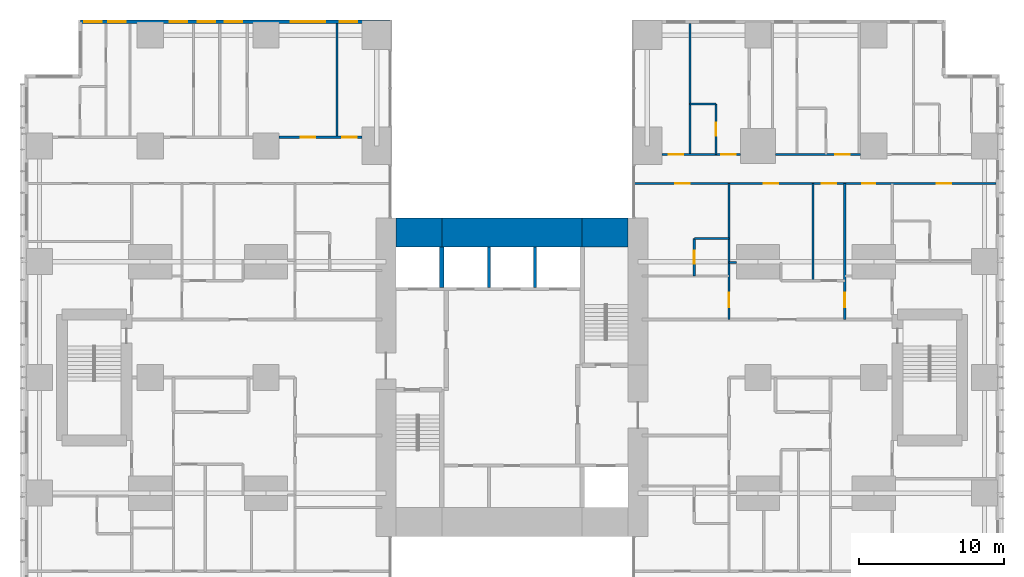
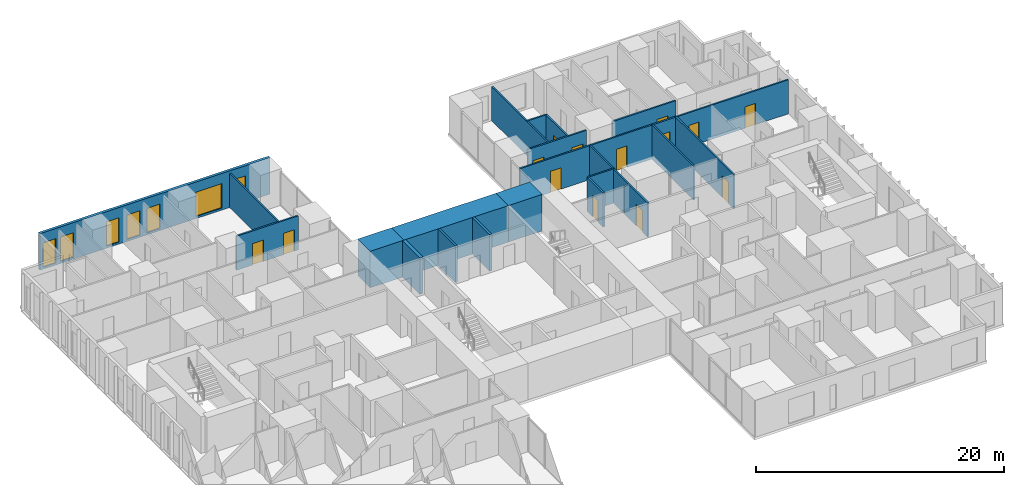
# One storey, part 17 of 20: 21 walls, 14 doors, 7 windows, 21 openings.
"""IFC4 building model written with IfcOpenShell, lengths in metres."""

import ifcopenshell
import ifcopenshell.guid

model = None  # the IFC model being written
_history = None  # IfcOwnerHistory: only IFC2X3 demands one
_inside = {}  # id of a spatial element -> (the spatial element, [elements in it])
_under = {}  # id of a project, library or spatial element -> (it, [spatial elements below it])
_declared = {}  # id of a project -> (the project, [libraries it declares])
_typed = {}  # id of a type object -> (the type object, [elements of that type])
_made_of = {}  # id of a material, layer set ... -> (it, [elements and type objects made of it])


def new_model(schema):
    """Start an empty IFC model of exactly this schema.

    Asked for "IFC4X3", IfcOpenShell would pick the latest addendum, in which some entities
    have other attributes; the version numbers below select the first issue.
    IFC2X3 requires an IfcOwnerHistory on every rooted entity: one is made here for all.
    """
    global model, _history
    if schema == "IFC4X3":
        model = ifcopenshell.file(schema_version=(4, 3, 0, 0))
    else:
        model = ifcopenshell.file(schema=schema)
    _inside.clear()
    _under.clear()
    _declared.clear()
    _typed.clear()
    _made_of.clear()
    _history = None
    if model.schema == "IFC2X3":
        org = make("IfcOrganization", Name="unknown")
        user = make(
            "IfcPersonAndOrganization",
            ThePerson=make("IfcPerson", FamilyName="unknown"),
            TheOrganization=org,
        )
        app = make(
            "IfcApplication",
            ApplicationDeveloper=org,
            Version="unknown",
            ApplicationFullName="unknown",
            ApplicationIdentifier="unknown",
        )
        _history = make(
            "IfcOwnerHistory",
            OwningUser=user,
            OwningApplication=app,
            ChangeAction="ADDED",
            CreationDate=0,
        )
    return model


def make(cls, **values):
    """One entity of the class cls with the attributes given. An attribute that is None is left unset."""
    return model.create_entity(
        cls, **{name: value for name, value in values.items() if value is not None}
    )


def rooted(cls, **values):
    """An entity with a GlobalId (a new one), such as an element, a storey or a relation."""
    return make(cls, GlobalId=ifcopenshell.guid.new(), OwnerHistory=_history, **values)


def si_unit(unit_type, name, prefix=None):
    """IfcSIUnit, for example si_unit("LENGTHUNIT", "METRE", prefix="MILLI")."""
    return make("IfcSIUnit", UnitType=unit_type, Prefix=prefix, Name=name)


def assignment(units):
    """IfcUnitAssignment: the units of a project."""
    return None if units is None else make("IfcUnitAssignment", Units=units)


def point(xyz):
    """IfcCartesianPoint."""
    return None if xyz is None else make("IfcCartesianPoint", Coordinates=xyz)


def direction(xyz):
    """IfcDirection."""
    return None if xyz is None else make("IfcDirection", DirectionRatios=xyz)


def frame(location, z_axis=None, x_axis=None):
    """IfcAxis2Placement3D, a coordinate frame: its origin and axes. An axis left out is left unset."""
    return make(
        "IfcAxis2Placement3D",
        Location=point(location),
        Axis=direction(z_axis),
        RefDirection=direction(x_axis),
    )


def frame_2d(location, x_axis=None):
    """IfcAxis2Placement2D, a coordinate frame in the plane: its origin and x axis."""
    return make(
        "IfcAxis2Placement2D", Location=point(location), RefDirection=direction(x_axis)
    )


def origin():
    """The frame at (0, 0, 0) with its axes left unset."""
    return frame((0.0, 0.0, 0.0))


def place(relative_to, where):
    """IfcLocalPlacement: puts the frame where relative to a parent placement (None: the world)."""
    return make(
        "IfcLocalPlacement", PlacementRelTo=relative_to, RelativePlacement=where
    )


def context(
    kind, dimensions, precision=None, world=None, true_north=None, identifier=None
):
    """IfcGeometricRepresentationContext, for example the 3D "Model" context."""
    return make(
        "IfcGeometricRepresentationContext",
        ContextIdentifier=identifier,
        ContextType=kind,
        CoordinateSpaceDimension=dimensions,
        Precision=precision,
        WorldCoordinateSystem=world,
        TrueNorth=true_north,
    )


def subcontext(parent, identifier, kind, view, scale=None):
    """IfcGeometricRepresentationSubContext, for example "Body" below "Model"."""
    return make(
        "IfcGeometricRepresentationSubContext",
        ContextIdentifier=identifier,
        ContextType=kind,
        ParentContext=parent,
        TargetScale=scale,
        TargetView=view,
    )


def project(units=None, contexts=None):
    """IfcProject with its units and contexts."""
    return rooted(
        "IfcProject",
        Name="project",
        RepresentationContexts=contexts,
        UnitsInContext=assignment(units),
    )


def spatial(cls, under=None, at=None, **own):
    """A site, building, storey or space (cls), placed at a placement, below another one or the project."""
    s = rooted(cls, ObjectPlacement=at, **own)
    if under is not None:
        _under.setdefault(under.id(), (under, []))[1].append(s)
    return s


def profile(cls, at=None, kind="AREA", **sizes):
    """A parametric profile (cls). Its sizes go by their IFC names, for example OverallWidth=200.0."""
    return make(cls, ProfileType=kind, Position=at, **sizes)


def rectangle(**sizes):
    """IfcRectangleProfileDef."""
    return profile("IfcRectangleProfileDef", **sizes)


def extrude(swept, where, along, depth):
    """IfcExtrudedAreaSolid: the profile swept, set in the frame where, extruded along a direction by depth."""
    return make(
        "IfcExtrudedAreaSolid",
        SweptArea=swept,
        Position=where,
        ExtrudedDirection=direction(along),
        Depth=depth,
    )


def shape(context_of_items, identifier, shape_type, items):
    """IfcShapeRepresentation: the items that make up one representation, for example the "Body"."""
    return make(
        "IfcShapeRepresentation",
        ContextOfItems=context_of_items,
        RepresentationIdentifier=identifier,
        RepresentationType=shape_type,
        Items=items,
    )


def material(Name=None, Category=None):
    """IfcMaterial."""
    return make("IfcMaterial", Name=Name, Category=Category)


def layer(
    of_material, thickness, ventilated=None, Name=None, Category=None, Priority=None
):
    """IfcMaterialLayer: one layer of a wall or slab, of a material (None: an air gap)."""
    return make(
        "IfcMaterialLayer",
        Material=of_material,
        LayerThickness=thickness,
        IsVentilated=ventilated,
        Name=Name,
        Category=Category,
        Priority=Priority,
    )


def layer_set(layers, Name=None):
    """IfcMaterialLayerSet."""
    return make("IfcMaterialLayerSet", MaterialLayers=layers, LayerSetName=Name)


def made_of(thing, what):
    """Note that an element or type object is made of a material, layer set ...; save() writes the relation."""
    if what is not None:
        _made_of.setdefault(what.id(), (what, []))[1].append(thing)
    return thing


def type_object(cls, material=None, **own):
    """A type object (cls), such as IfcWallType, which elements share."""
    return made_of(rooted(cls, **own), material)


def element(
    cls,
    number,
    at=None,
    inside=None,
    cuts=None,
    type_object=None,
    material=None,
    context=None,
    identifier="Body",
    shape_type=None,
    held_by="IfcProductDefinitionShape",
    body=None,
    shapes=None,
    **own,
):
    """One element of the class cls, such as IfcWall. Its Tag is "e" and its number.

    at: its placement. inside: the storey or other place that contains it. cuts: it is an
    opening in that element (IfcRelVoidsElement). A single representation is given by context,
    identifier, shape_type and body (its items); several are given by shapes. held_by: the class
    of the entity that holds the representations. save() writes the other relations.
    """
    e = rooted(cls, Tag="e%d" % number, ObjectPlacement=at, **own)
    if body is not None:
        shapes = [shape(context, identifier, shape_type, body)]
    if shapes is not None:
        e.Representation = make(held_by, Representations=shapes)
    if inside is not None:
        _inside.setdefault(inside.id(), (inside, []))[1].append(e)
    if cuts is not None:
        rooted(
            "IfcRelVoidsElement", RelatingBuildingElement=cuts, RelatedOpeningElement=e
        )
    if type_object is not None:
        _typed.setdefault(type_object.id(), (type_object, []))[1].append(e)
    return made_of(e, material)


def fill(opening, filler):
    """IfcRelFillsElement: the door or window that sits in an opening."""
    return rooted(
        "IfcRelFillsElement",
        RelatingOpeningElement=opening,
        RelatedBuildingElement=filler,
    )


def aggregate(whole, parts):
    """IfcRelAggregates: a whole, such as a stair, and the parts it consists of."""
    return rooted("IfcRelAggregates", RelatingObject=whole, RelatedObjects=parts)


def save(model, path):
    """Write the relations noted so far, then the file.

    IfcRelAggregates (storeys below a building ...), IfcRelContainedInSpatialStructure (elements
    in a storey), IfcRelDefinesByType, IfcRelAssociatesMaterial and IfcRelDeclares: one each for
    every whole, place, type object, material and project.
    """
    for whole, parts in _under.values():
        aggregate(whole, parts)
    for where, things in _inside.values():
        rooted(
            "IfcRelContainedInSpatialStructure",
            RelatedElements=things,
            RelatingStructure=where,
        )
    for kind, things in _typed.values():
        rooted("IfcRelDefinesByType", RelatedObjects=things, RelatingType=kind)
    for what, things in _made_of.values():
        rooted("IfcRelAssociatesMaterial", RelatedObjects=things, RelatingMaterial=what)
    for by, libraries in _declared.values():
        rooted("IfcRelDeclares", RelatingContext=by, RelatedDefinitions=libraries)
    model.write(path)


model = new_model("IFC4")

# Units and contexts
model_context = context("Model", 3, precision=1e-05, world=origin(), true_north=direction((0.0, 1.0)))
body_context = subcontext(model_context, "Body", "Model", "MODEL_VIEW")
ifc_project = project(units=[si_unit("LENGTHUNIT", "METRE"), si_unit("AREAUNIT", "SQUARE_METRE"), si_unit("VOLUMEUNIT", "CUBIC_METRE"), si_unit("PLANEANGLEUNIT", "RADIAN"), si_unit("MASSUNIT", "GRAM", prefix="KILO")], contexts=[model_context])

# Site, building, storey
site_placement = place(None, origin())
site = spatial("IfcSite", under=ifc_project, at=site_placement, CompositionType="ELEMENT")
building_placement = place(site_placement, origin())
building = spatial("IfcBuilding", under=site, at=building_placement, Name="Cleftline Residences", CompositionType="ELEMENT")
storey_placement = place(building_placement, frame((0.0, 0.0, 193.0)))
storey = spatial("IfcBuildingStorey", under=building, at=storey_placement, Name="L50", CompositionType="ELEMENT", Elevation=193.0)

# Walls
ifc_material_1 = material(Name="Concrete B70", Category="concrete")
ifc_layer_1 = layer(ifc_material_1, 2.0)
ifc_layer_set_1 = layer_set([ifc_layer_1], Name="CORE WALL 2000")
wall_type_1 = type_object("IfcWallType", Name="CORE WALL 2000", PredefinedType="SHEAR", material=ifc_layer_set_1)
wall_1_placement = place(storey_placement, frame((25.0, 34.0, 0.0), z_axis=(0.0, 0.0, 1.0), x_axis=(1.0, 0.0, 0.0)))
element("IfcWall", 1, at=wall_1_placement, inside=storey, type_object=wall_type_1, Name="Core wall N1", PredefinedType="SHEAR", context=body_context, shape_type="SweptSolid", body=[
    extrude(rectangle(XDim=3.14990234375, YDim=2.0, at=frame_2d((1.574951171875, 0.0))), origin(), (0.0, 0.0, 1.0), 3.60009765625),
])
wall_2_placement = place(storey_placement, frame((28.14990234375, 34.0, 0.0), z_axis=(0.0, 0.0, 1.0), x_axis=(1.0, 0.0, 0.0)))
element("IfcWall", 2, at=wall_2_placement, inside=storey, type_object=wall_type_1, Name="Core wall N2", PredefinedType="SHEAR", context=body_context, shape_type="SweptSolid", body=[
    extrude(rectangle(XDim=9.7001953125, YDim=2.0, at=frame_2d((4.85009765625, 0.0))), origin(), (0.0, 0.0, 1.0), 3.60009765625),
])
wall_3_placement = place(storey_placement, frame((37.85009765625, 34.0, 0.0), z_axis=(0.0, 0.0, 1.0), x_axis=(1.0, 0.0, 0.0)))
element("IfcWall", 3, at=wall_3_placement, inside=storey, type_object=wall_type_1, Name="Core wall N3", PredefinedType="SHEAR", context=body_context, shape_type="SweptSolid", body=[
    extrude(rectangle(XDim=3.14990234375, YDim=2.0, at=frame_2d((1.574951171875, 0.0))), origin(), (0.0, 0.0, 1.0), 3.60009765625),
])
ifc_material_2 = material(Name="Concrete B70", Category="concrete")
ifc_layer_2 = layer(ifc_material_2, 0.300048828125)
ifc_layer_set_2 = layer_set([ifc_layer_2], Name="CORE WALL 300")
wall_type_2 = type_object("IfcWallType", Name="CORE WALL 300", PredefinedType="SHEAR", material=ifc_layer_set_2)
wall_4_placement = place(storey_placement, frame((28.14990234375, 30.199951171875, 0.0), z_axis=(0.0, 0.0, 1.0), x_axis=(0.0, 1.0, 0.0)))
element("IfcWall", 4, at=wall_4_placement, inside=storey, type_object=wall_type_2, Name="Lift shaft wall", PredefinedType="SHEAR", context=body_context, shape_type="SweptSolid", body=[
    extrude(rectangle(XDim=2.800048828125, YDim=0.300048828125, at=frame_2d((1.39990234375, 0.0))), origin(), (0.0, 0.0, 1.0), 3.60009765625),
])

# Wall, openings, windows
ifc_material_3 = material(Name="Rendered reinforced concrete blockwork", Category="masonry")
ifc_layer_3 = layer(ifc_material_3, 0.25)
ifc_layer_set_3 = layer_set([ifc_layer_3], Name="EXTERNAL WALL 250")
wall_type_3 = type_object("IfcWallType", Name="EXTERNAL WALL 250", PredefinedType="SOLIDWALL", material=ifc_layer_set_3)
wall_5_placement = place(storey_placement, frame((24.574951171875, 48.574951171875, 0.0), z_axis=(0.0, 0.0, 1.0), x_axis=(-1.0, 0.0, 0.0)))
wall_5 = element("IfcWall", 5, at=wall_5_placement, inside=storey, type_object=wall_type_3, Name="External wall", PredefinedType="SOLIDWALL", context=body_context, shape_type="SweptSolid", body=[
    extrude(rectangle(XDim=21.39990234375, YDim=0.25, at=frame_2d((10.699951171875, 0.0))), origin(), (0.0, 0.0, 1.0), 3.60009765625),
])
opening_1_placement = place(wall_5_placement, frame((2.27490234375, 0.0, 0.199951171875)))
opening_1 = element("IfcOpeningElement", 6, at=opening_1_placement, cuts=wall_5, Name="Opening W13", PredefinedType="OPENING", context=body_context, shape_type="SweptSolid", body=[
    extrude(rectangle(XDim=1.199951171875, YDim=2.39990234375, at=frame_2d((0.60009765625, 1.199951171875))), frame((0.0, 0.135009765625, 0.0), z_axis=(0.0, -1.0, 0.0), x_axis=(1.0, 0.0, 0.0)), (0.0, 0.0, 1.0), 0.27001953125),
])
opening_2_placement = place(wall_5_placement, frame((4.47509765625, 0.0, 0.199951171875)))
opening_2 = element("IfcOpeningElement", 7, at=opening_2_placement, cuts=wall_5, Name="Opening W9", PredefinedType="OPENING", context=body_context, shape_type="SweptSolid", body=[
    extrude(rectangle(XDim=2.39990234375, YDim=2.39990234375, at=frame_2d((1.199951171875, 1.199951171875))), frame((0.0, 0.135009765625, 0.0), z_axis=(0.0, -1.0, 0.0), x_axis=(1.0, 0.0, 0.0)), (0.0, 0.0, 1.0), 0.27001953125),
])
opening_3_placement = place(wall_5_placement, frame((10.22509765625, 0.0, 0.199951171875)))
opening_3 = element("IfcOpeningElement", 8, at=opening_3_placement, cuts=wall_5, Name="Opening W13", PredefinedType="OPENING", context=body_context, shape_type="SweptSolid", body=[
    extrude(rectangle(XDim=1.199951171875, YDim=2.39990234375, at=frame_2d((0.60009765625, 1.199951171875))), frame((0.0, 0.135009765625, 0.0), z_axis=(0.0, -1.0, 0.0), x_axis=(1.0, 0.0, 0.0)), (0.0, 0.0, 1.0), 0.27001953125),
])
opening_4_placement = place(wall_5_placement, frame((12.074951171875, 0.0, 0.199951171875)))
opening_4 = element("IfcOpeningElement", 9, at=opening_4_placement, cuts=wall_5, Name="Opening W13", PredefinedType="OPENING", context=body_context, shape_type="SweptSolid", body=[
    extrude(rectangle(XDim=1.199951171875, YDim=2.39990234375, at=frame_2d((0.60009765625, 1.199951171875))), frame((0.0, 0.135009765625, 0.0), z_axis=(0.0, -1.0, 0.0), x_axis=(1.0, 0.0, 0.0)), (0.0, 0.0, 1.0), 0.27001953125),
])
opening_5_placement = place(wall_5_placement, frame((14.02490234375, 0.0, 0.199951171875)))
opening_5 = element("IfcOpeningElement", 10, at=opening_5_placement, cuts=wall_5, Name="Opening W13", PredefinedType="OPENING", context=body_context, shape_type="SweptSolid", body=[
    extrude(rectangle(XDim=1.199951171875, YDim=2.39990234375, at=frame_2d((0.60009765625, 1.199951171875))), frame((0.0, 0.135009765625, 0.0), z_axis=(0.0, -1.0, 0.0), x_axis=(1.0, 0.0, 0.0)), (0.0, 0.0, 1.0), 0.27001953125),
])
opening_6_placement = place(wall_5_placement, frame((18.27490234375, 0.0, 0.199951171875)))
opening_6 = element("IfcOpeningElement", 11, at=opening_6_placement, cuts=wall_5, Name="Opening W13", PredefinedType="OPENING", context=body_context, shape_type="SweptSolid", body=[
    extrude(rectangle(XDim=1.199951171875, YDim=2.39990234375, at=frame_2d((0.60009765625, 1.199951171875))), frame((0.0, 0.135009765625, 0.0), z_axis=(0.0, -1.0, 0.0), x_axis=(1.0, 0.0, 0.0)), (0.0, 0.0, 1.0), 0.27001953125),
])
opening_7_placement = place(wall_5_placement, frame((19.925048828125, 0.0, 0.199951171875)))
opening_7 = element("IfcOpeningElement", 12, at=opening_7_placement, cuts=wall_5, Name="Opening W13", PredefinedType="OPENING", context=body_context, shape_type="SweptSolid", body=[
    extrude(rectangle(XDim=1.199951171875, YDim=2.39990234375, at=frame_2d((0.60009765625, 1.199951171875))), frame((0.0, 0.135009765625, 0.0), z_axis=(0.0, -1.0, 0.0), x_axis=(1.0, 0.0, 0.0)), (0.0, 0.0, 1.0), 0.27001953125),
])
ifc_material_4 = material(Name="Aluminium frame, clear double glazing", Category="aluminium")
window_type_1 = type_object("IfcWindowType", Name="WINDOW 1200X2400", PartitioningType="DOUBLE_PANEL_VERTICAL", PredefinedType="WINDOW", material=ifc_material_4)
window_1_placement = place(opening_1_placement, origin())
window_1 = element("IfcWindow", 13, at=window_1_placement, inside=storey, type_object=window_type_1, Name="Window", OverallHeight=2.39990234375, OverallWidth=1.199951171875, PartitioningType="SINGLE_PANEL", PredefinedType="WINDOW", context=body_context, shape_type="SweptSolid", body=[
    extrude(rectangle(XDim=1.199951171875, YDim=2.39990234375, at=frame_2d((0.60009765625, 1.199951171875))), frame((0.0, 0.030029296875, 0.0), z_axis=(0.0, -1.0, 0.0), x_axis=(1.0, 0.0, 0.0)), (0.0, 0.0, 1.0), 0.06005859375),
])
fill(opening_1, window_1)
window_2_placement = place(opening_3_placement, origin())
window_2 = element("IfcWindow", 14, at=window_2_placement, inside=storey, type_object=window_type_1, Name="Window", OverallHeight=2.39990234375, OverallWidth=1.199951171875, PartitioningType="SINGLE_PANEL", PredefinedType="WINDOW", context=body_context, shape_type="SweptSolid", body=[
    extrude(rectangle(XDim=1.199951171875, YDim=2.39990234375, at=frame_2d((0.60009765625, 1.199951171875))), frame((0.0, 0.030029296875, 0.0), z_axis=(0.0, -1.0, 0.0), x_axis=(1.0, 0.0, 0.0)), (0.0, 0.0, 1.0), 0.06005859375),
])
fill(opening_3, window_2)
window_3_placement = place(opening_4_placement, origin())
window_3 = element("IfcWindow", 15, at=window_3_placement, inside=storey, type_object=window_type_1, Name="Window", OverallHeight=2.39990234375, OverallWidth=1.199951171875, PartitioningType="SINGLE_PANEL", PredefinedType="WINDOW", context=body_context, shape_type="SweptSolid", body=[
    extrude(rectangle(XDim=1.199951171875, YDim=2.39990234375, at=frame_2d((0.60009765625, 1.199951171875))), frame((0.0, 0.030029296875, 0.0), z_axis=(0.0, -1.0, 0.0), x_axis=(1.0, 0.0, 0.0)), (0.0, 0.0, 1.0), 0.06005859375),
])
fill(opening_4, window_3)
window_4_placement = place(opening_5_placement, origin())
window_4 = element("IfcWindow", 16, at=window_4_placement, inside=storey, type_object=window_type_1, Name="Window", OverallHeight=2.39990234375, OverallWidth=1.199951171875, PartitioningType="SINGLE_PANEL", PredefinedType="WINDOW", context=body_context, shape_type="SweptSolid", body=[
    extrude(rectangle(XDim=1.199951171875, YDim=2.39990234375, at=frame_2d((0.60009765625, 1.199951171875))), frame((0.0, 0.030029296875, 0.0), z_axis=(0.0, -1.0, 0.0), x_axis=(1.0, 0.0, 0.0)), (0.0, 0.0, 1.0), 0.06005859375),
])
fill(opening_5, window_4)
window_5_placement = place(opening_6_placement, origin())
window_5 = element("IfcWindow", 17, at=window_5_placement, inside=storey, type_object=window_type_1, Name="Window", OverallHeight=2.39990234375, OverallWidth=1.199951171875, PartitioningType="SINGLE_PANEL", PredefinedType="WINDOW", context=body_context, shape_type="SweptSolid", body=[
    extrude(rectangle(XDim=1.199951171875, YDim=2.39990234375, at=frame_2d((0.60009765625, 1.199951171875))), frame((0.0, 0.030029296875, 0.0), z_axis=(0.0, -1.0, 0.0), x_axis=(1.0, 0.0, 0.0)), (0.0, 0.0, 1.0), 0.06005859375),
])
fill(opening_6, window_5)
window_6_placement = place(opening_7_placement, origin())
window_6 = element("IfcWindow", 18, at=window_6_placement, inside=storey, type_object=window_type_1, Name="Window", OverallHeight=2.39990234375, OverallWidth=1.199951171875, PartitioningType="SINGLE_PANEL", PredefinedType="WINDOW", context=body_context, shape_type="SweptSolid", body=[
    extrude(rectangle(XDim=1.199951171875, YDim=2.39990234375, at=frame_2d((0.60009765625, 1.199951171875))), frame((0.0, 0.030029296875, 0.0), z_axis=(0.0, -1.0, 0.0), x_axis=(1.0, 0.0, 0.0)), (0.0, 0.0, 1.0), 0.06005859375),
])
fill(opening_7, window_6)
ifc_material_5 = material(Name="Aluminium frame, clear double glazing", Category="aluminium")
window_type_2 = type_object("IfcWindowType", Name="WINDOW 2400X2400", PartitioningType="DOUBLE_PANEL_VERTICAL", PredefinedType="WINDOW", material=ifc_material_5)
window_7_placement = place(opening_2_placement, origin())
window_7 = element("IfcWindow", 19, at=window_7_placement, inside=storey, type_object=window_type_2, Name="Window", OverallHeight=2.39990234375, OverallWidth=2.39990234375, PartitioningType="SINGLE_PANEL", PredefinedType="WINDOW", context=body_context, shape_type="SweptSolid", body=[
    extrude(rectangle(XDim=2.39990234375, YDim=2.39990234375, at=frame_2d((1.199951171875, 1.199951171875))), frame((0.0, 0.030029296875, 0.0), z_axis=(0.0, -1.0, 0.0), x_axis=(1.0, 0.0, 0.0)), (0.0, 0.0, 1.0), 0.06005859375),
])
fill(opening_2, window_7)

# Walls
ifc_material_6 = material(Name="Gypsum board on steel studs", Category="steel")
ifc_layer_4 = layer(ifc_material_6, 0.14990234375)
ifc_layer_set_4 = layer_set([ifc_layer_4], Name="PARTITION 150")
wall_type_4 = type_object("IfcWallType", Name="PARTITION 150", PredefinedType="PARTITIONING", material=ifc_layer_set_4)
wall_6_placement = place(storey_placement, frame((48.0, 31.949951171875, 0.0), z_axis=(0.0, 0.0, 1.0), x_axis=(1.0, 0.0, 0.0)))
element("IfcWall", 20, at=wall_6_placement, inside=storey, type_object=wall_type_4, Name="Partition", PredefinedType="PARTITIONING", context=body_context, shape_type="SweptSolid", body=[
    extrude(rectangle(XDim=0.5, YDim=0.14990234375, at=frame_2d((0.25, 0.0))), origin(), (0.0, 0.0, 1.0), 2.634033203125),
])
wall_7_placement = place(storey_placement, frame((45.60009765625, 33.60009765625, 0.0), z_axis=(0.0, 0.0, 1.0), x_axis=(1.0, 0.0, 0.0)))
element("IfcWall", 21, at=wall_7_placement, inside=storey, type_object=wall_type_4, Name="Partition", PredefinedType="PARTITIONING", context=body_context, shape_type="SweptSolid", body=[
    extrude(rectangle(XDim=2.39990234375, YDim=0.14990234375, at=frame_2d((1.199951171875, 0.0))), origin(), (0.0, 0.0, 1.0), 3.35009765625),
])

# Wall, openings, doors
wall_8_placement = place(storey_placement, frame((41.43896484375, 37.39990234375, 0.0), z_axis=(0.0, 0.0, 1.0), x_axis=(1.0, 0.0, 0.0)))
wall_8 = element("IfcWall", 22, at=wall_8_placement, inside=storey, type_object=wall_type_4, Name="Partition", PredefinedType="PARTITIONING", context=body_context, shape_type="SweptSolid", body=[
    extrude(rectangle(XDim=25.010986328125, YDim=0.14990234375, at=frame_2d((12.50537109375, 0.0))), origin(), (0.0, 0.0, 1.0), 3.35009765625),
])
opening_8_placement = place(wall_8_placement, frame((12.9609375, 0.0, 0.0)))
opening_8 = element("IfcOpeningElement", 23, at=opening_8_placement, cuts=wall_8, Name="Opening D2F30", PredefinedType="OPENING", context=body_context, shape_type="SweptSolid", body=[
    extrude(rectangle(XDim=1.0, YDim=2.10009765625, at=frame_2d((0.5, 1.050048828125))), frame((0.0, 0.0849609375, 0.0), z_axis=(0.0, -1.0, 0.0), x_axis=(1.0, 0.0, 0.0)), (0.0, 0.0, 1.0), 0.169921875),
])
opening_9_placement = place(wall_8_placement, frame((20.923583984375, 0.0, 0.0)))
opening_9 = element("IfcOpeningElement", 24, at=opening_9_placement, cuts=wall_8, Name="Opening D2F30", PredefinedType="OPENING", context=body_context, shape_type="SweptSolid", body=[
    extrude(rectangle(XDim=1.0, YDim=2.10009765625, at=frame_2d((0.5, 1.050048828125))), frame((0.0, 0.0849609375, 0.0), z_axis=(0.0, -1.0, 0.0), x_axis=(1.0, 0.0, 0.0)), (0.0, 0.0, 1.0), 0.169921875),
])
opening_10_placement = place(wall_8_placement, frame((15.74853515625, 0.0, 0.0)))
opening_10 = element("IfcOpeningElement", 25, at=opening_10_placement, cuts=wall_8, Name="Opening D1F30", PredefinedType="OPENING", context=body_context, shape_type="SweptSolid", body=[
    extrude(rectangle(XDim=0.89990234375, YDim=2.10009765625, at=frame_2d((0.449951171875, 1.050048828125))), frame((0.0, 0.0849609375, 0.0), z_axis=(0.0, -1.0, 0.0), x_axis=(1.0, 0.0, 0.0)), (0.0, 0.0, 1.0), 0.169921875),
])
opening_11_placement = place(wall_8_placement, frame((8.9609375, 0.0, 0.0)))
opening_11 = element("IfcOpeningElement", 26, at=opening_11_placement, cuts=wall_8, Name="Opening D2F30", PredefinedType="OPENING", context=body_context, shape_type="SweptSolid", body=[
    extrude(rectangle(XDim=1.0, YDim=2.10009765625, at=frame_2d((0.5, 1.050048828125))), frame((0.0, 0.0849609375, 0.0), z_axis=(0.0, -1.0, 0.0), x_axis=(1.0, 0.0, 0.0)), (0.0, 0.0, 1.0), 0.169921875),
])
opening_12_placement = place(wall_8_placement, frame((2.8359375, 0.0, 0.0)))
opening_12 = element("IfcOpeningElement", 27, at=opening_12_placement, cuts=wall_8, Name="Opening D2F30", PredefinedType="OPENING", context=body_context, shape_type="SweptSolid", body=[
    extrude(rectangle(XDim=1.0, YDim=2.10009765625, at=frame_2d((0.5, 1.050048828125))), frame((0.0, 0.0849609375, 0.0), z_axis=(0.0, -1.0, 0.0), x_axis=(1.0, 0.0, 0.0)), (0.0, 0.0, 1.0), 0.169921875),
])
ifc_material_7 = material(Name="Timber veneer on solid core", Category="wood")
door_type_1 = type_object("IfcDoorType", Name="DOOR 1000X2100 EI 30", OperationType="SINGLE_SWING_LEFT", PredefinedType="DOOR", material=ifc_material_7)
door_1_placement = place(opening_8_placement, origin())
door_1 = element("IfcDoor", 28, at=door_1_placement, inside=storey, type_object=door_type_1, Name="Door to residence corridor (bedrooms)", OperationType="SINGLE_SWING_LEFT", OverallHeight=2.10009765625, OverallWidth=1.0, PredefinedType="DOOR", context=body_context, shape_type="SweptSolid", body=[
    extrude(rectangle(XDim=1.0, YDim=2.10009765625, at=frame_2d((0.5, 1.050048828125))), frame((0.0, 0.02490234375, 0.0), z_axis=(0.0, -1.0, 0.0), x_axis=(1.0, 0.0, 0.0)), (0.0, 0.0, 1.0), 0.050048828125),
])
fill(opening_8, door_1)
door_2_placement = place(opening_9_placement, origin())
door_2 = element("IfcDoor", 29, at=door_2_placement, inside=storey, type_object=door_type_1, Name="Door to master bedroom", OperationType="SINGLE_SWING_LEFT", OverallHeight=2.10009765625, OverallWidth=1.0, PredefinedType="DOOR", context=body_context, shape_type="SweptSolid", body=[
    extrude(rectangle(XDim=1.0, YDim=2.10009765625, at=frame_2d((0.5, 1.050048828125))), frame((0.0, 0.02490234375, 0.0), z_axis=(0.0, -1.0, 0.0), x_axis=(1.0, 0.0, 0.0)), (0.0, 0.0, 1.0), 0.050048828125),
])
fill(opening_9, door_2)
door_3_placement = place(opening_11_placement, origin())
door_3 = element("IfcDoor", 30, at=door_3_placement, inside=storey, type_object=door_type_1, Name="Door to family room", OperationType="SINGLE_SWING_RIGHT", OverallHeight=2.10009765625, OverallWidth=1.0, PredefinedType="DOOR", context=body_context, shape_type="SweptSolid", body=[
    extrude(rectangle(XDim=1.0, YDim=2.10009765625, at=frame_2d((0.5, 1.050048828125))), frame((0.0, 0.02490234375, 0.0), z_axis=(0.0, -1.0, 0.0), x_axis=(1.0, 0.0, 0.0)), (0.0, 0.0, 1.0), 0.050048828125),
])
fill(opening_11, door_3)
door_4_placement = place(opening_12_placement, origin())
door_4 = element("IfcDoor", 31, at=door_4_placement, inside=storey, type_object=door_type_1, Name="Door to bedroom 5", OperationType="SINGLE_SWING_RIGHT", OverallHeight=2.10009765625, OverallWidth=1.0, PredefinedType="DOOR", context=body_context, shape_type="SweptSolid", body=[
    extrude(rectangle(XDim=1.0, YDim=2.10009765625, at=frame_2d((0.5, 1.050048828125))), frame((0.0, 0.02490234375, 0.0), z_axis=(0.0, -1.0, 0.0), x_axis=(1.0, 0.0, 0.0)), (0.0, 0.0, 1.0), 0.050048828125),
])
fill(opening_12, door_4)
ifc_material_8 = material(Name="Timber veneer on solid core", Category="wood")
door_type_2 = type_object("IfcDoorType", Name="DOOR 900X2100 EI 30", OperationType="SINGLE_SWING_LEFT", PredefinedType="DOOR", material=ifc_material_8)
door_5_placement = place(opening_10_placement, origin())
door_5 = element("IfcDoor", 32, at=door_5_placement, inside=storey, type_object=door_type_2, Name="Door to master bathroom", OperationType="SINGLE_SWING_LEFT", OverallHeight=2.10009765625, OverallWidth=0.89990234375, PredefinedType="DOOR", context=body_context, shape_type="SweptSolid", body=[
    extrude(rectangle(XDim=0.89990234375, YDim=2.10009765625, at=frame_2d((0.449951171875, 1.050048828125))), frame((0.0, 0.02490234375, 0.0), z_axis=(0.0, -1.0, 0.0), x_axis=(1.0, 0.0, 0.0)), (0.0, 0.0, 1.0), 0.050048828125),
])
fill(opening_10, door_5)

wall_9_placement = place(storey_placement, frame((43.35009765625, 39.39990234375, 0.0), z_axis=(0.0, 0.0, 1.0), x_axis=(1.0, 0.0, 0.0)))
wall_9 = element("IfcWall", 33, at=wall_9_placement, inside=storey, type_object=wall_type_4, Name="Partition", PredefinedType="PARTITIONING", context=body_context, shape_type="SweptSolid", body=[
    extrude(rectangle(XDim=5.449951171875, YDim=0.14990234375, at=frame_2d((2.72509765625, 0.0))), origin(), (0.0, 0.0, 1.0), 3.35009765625),
])
opening_13_placement = place(wall_9_placement, frame((4.10009765625, 0.0, 0.0)))
opening_13 = element("IfcOpeningElement", 34, at=opening_13_placement, cuts=wall_9, Name="Opening D2", PredefinedType="OPENING", context=body_context, shape_type="SweptSolid", body=[
    extrude(rectangle(XDim=1.0, YDim=2.10009765625, at=frame_2d((0.5, 1.050048828125))), frame((0.0, 0.0849609375, 0.0), z_axis=(0.0, -1.0, 0.0), x_axis=(1.0, 0.0, 0.0)), (0.0, 0.0, 1.0), 0.169921875),
])
opening_14_placement = place(wall_9_placement, frame((0.47509765625, 0.0, 0.0)))
opening_14 = element("IfcOpeningElement", 35, at=opening_14_placement, cuts=wall_9, Name="Opening D2", PredefinedType="OPENING", context=body_context, shape_type="SweptSolid", body=[
    extrude(rectangle(XDim=1.0, YDim=2.10009765625, at=frame_2d((0.5, 1.050048828125))), frame((0.0, 0.0849609375, 0.0), z_axis=(0.0, -1.0, 0.0), x_axis=(1.0, 0.0, 0.0)), (0.0, 0.0, 1.0), 0.169921875),
])
ifc_material_9 = material(Name="Timber veneer on solid core", Category="wood")
door_type_3 = type_object("IfcDoorType", Name="DOOR 1000X2100", OperationType="SINGLE_SWING_LEFT", PredefinedType="DOOR", material=ifc_material_9)
door_6_placement = place(opening_13_placement, origin())
door_6 = element("IfcDoor", 36, at=door_6_placement, inside=storey, type_object=door_type_3, Name="Door to bedroom 4", OperationType="SINGLE_SWING_LEFT", OverallHeight=2.10009765625, OverallWidth=1.0, PredefinedType="DOOR", context=body_context, shape_type="SweptSolid", body=[
    extrude(rectangle(XDim=1.0, YDim=2.10009765625, at=frame_2d((0.5, 1.050048828125))), frame((0.0, 0.02490234375, 0.0), z_axis=(0.0, -1.0, 0.0), x_axis=(1.0, 0.0, 0.0)), (0.0, 0.0, 1.0), 0.050048828125),
])
fill(opening_13, door_6)
door_7_placement = place(opening_14_placement, origin())
door_7 = element("IfcDoor", 37, at=door_7_placement, inside=storey, type_object=door_type_3, Name="Door to gym", OperationType="SINGLE_SWING_RIGHT", OverallHeight=2.10009765625, OverallWidth=1.0, PredefinedType="DOOR", context=body_context, shape_type="SweptSolid", body=[
    extrude(rectangle(XDim=1.0, YDim=2.10009765625, at=frame_2d((0.5, 1.050048828125))), frame((0.0, 0.02490234375, 0.0), z_axis=(0.0, -1.0, 0.0), x_axis=(1.0, 0.0, 0.0)), (0.0, 0.0, 1.0), 0.050048828125),
])
fill(opening_14, door_7)

# Wall, opening, door
wall_10_placement = place(storey_placement, frame((51.199951171875, 39.39990234375, 0.0), z_axis=(0.0, 0.0, 1.0), x_axis=(1.0, 0.0, 0.0)))
wall_10 = element("IfcWall", 38, at=wall_10_placement, inside=storey, type_object=wall_type_4, Name="Partition", PredefinedType="PARTITIONING", context=body_context, shape_type="SweptSolid", body=[
    extrude(rectangle(XDim=5.900146484375, YDim=0.14990234375, at=frame_2d((2.9501953125, 0.0))), origin(), (0.0, 0.0, 1.0), 3.35009765625),
])
opening_15_placement = place(wall_10_placement, frame((4.14990234375, 0.0, 0.0)))
opening_15 = element("IfcOpeningElement", 39, at=opening_15_placement, cuts=wall_10, Name="Opening D2", PredefinedType="OPENING", context=body_context, shape_type="SweptSolid", body=[
    extrude(rectangle(XDim=1.0, YDim=2.10009765625, at=frame_2d((0.5, 1.050048828125))), frame((0.0, 0.0849609375, 0.0), z_axis=(0.0, -1.0, 0.0), x_axis=(1.0, 0.0, 0.0)), (0.0, 0.0, 1.0), 0.169921875),
])
door_8_placement = place(opening_15_placement, origin())
door_8 = element("IfcDoor", 40, at=door_8_placement, inside=storey, type_object=door_type_3, Name="Door to bedroom 3", OperationType="SINGLE_SWING_LEFT", OverallHeight=2.10009765625, OverallWidth=1.0, PredefinedType="DOOR", context=body_context, shape_type="SweptSolid", body=[
    extrude(rectangle(XDim=1.0, YDim=2.10009765625, at=frame_2d((0.5, 1.050048828125))), frame((0.0, 0.02490234375, 0.0), z_axis=(0.0, -1.0, 0.0), x_axis=(1.0, 0.0, 0.0)), (0.0, 0.0, 1.0), 0.050048828125),
])
fill(opening_15, door_8)

# Wall, openings, doors
wall_11_placement = place(storey_placement, frame((16.89990234375, 40.60009765625, 0.0), z_axis=(0.0, 0.0, 1.0), x_axis=(1.0, 0.0, 0.0)))
wall_11 = element("IfcWall", 41, at=wall_11_placement, inside=storey, type_object=wall_type_4, Name="Partition", PredefinedType="PARTITIONING", context=body_context, shape_type="SweptSolid", body=[
    extrude(rectangle(XDim=5.75, YDim=0.14990234375, at=frame_2d((2.875, 0.0))), origin(), (0.0, 0.0, 1.0), 3.35009765625),
])
opening_16_placement = place(wall_11_placement, frame((1.5, 0.0, 0.0)))
opening_16 = element("IfcOpeningElement", 42, at=opening_16_placement, cuts=wall_11, Name="Opening D2", PredefinedType="OPENING", context=body_context, shape_type="SweptSolid", body=[
    extrude(rectangle(XDim=1.0, YDim=2.10009765625, at=frame_2d((0.5, 1.050048828125))), frame((0.0, 0.0849609375, 0.0), z_axis=(0.0, -1.0, 0.0), x_axis=(1.0, 0.0, 0.0)), (0.0, 0.0, 1.0), 0.169921875),
])
opening_17_placement = place(wall_11_placement, frame((4.375, 0.0, 0.0)))
opening_17 = element("IfcOpeningElement", 43, at=opening_17_placement, cuts=wall_11, Name="Opening D2", PredefinedType="OPENING", context=body_context, shape_type="SweptSolid", body=[
    extrude(rectangle(XDim=1.0, YDim=2.10009765625, at=frame_2d((0.5, 1.050048828125))), frame((0.0, 0.0849609375, 0.0), z_axis=(0.0, -1.0, 0.0), x_axis=(1.0, 0.0, 0.0)), (0.0, 0.0, 1.0), 0.169921875),
])
door_9_placement = place(opening_16_placement, origin())
door_9 = element("IfcDoor", 44, at=door_9_placement, inside=storey, type_object=door_type_3, Name="Door to master bedroom", OperationType="SINGLE_SWING_RIGHT", OverallHeight=2.10009765625, OverallWidth=1.0, PredefinedType="DOOR", context=body_context, shape_type="SweptSolid", body=[
    extrude(rectangle(XDim=1.0, YDim=2.10009765625, at=frame_2d((0.5, 1.050048828125))), frame((0.0, 0.02490234375, 0.0), z_axis=(0.0, -1.0, 0.0), x_axis=(1.0, 0.0, 0.0)), (0.0, 0.0, 1.0), 0.050048828125),
])
fill(opening_16, door_9)
door_10_placement = place(opening_17_placement, origin())
door_10 = element("IfcDoor", 45, at=door_10_placement, inside=storey, type_object=door_type_3, Name="Door to master sitting room", OperationType="SINGLE_SWING_LEFT", OverallHeight=2.10009765625, OverallWidth=1.0, PredefinedType="DOOR", context=body_context, shape_type="SweptSolid", body=[
    extrude(rectangle(XDim=1.0, YDim=2.10009765625, at=frame_2d((0.5, 1.050048828125))), frame((0.0, 0.02490234375, 0.0), z_axis=(0.0, -1.0, 0.0), x_axis=(1.0, 0.0, 0.0)), (0.0, 0.0, 1.0), 0.050048828125),
])
fill(opening_17, door_10)

# Walls
wall_12_placement = place(storey_placement, frame((45.300048828125, 42.89990234375, 0.0), z_axis=(0.0, 0.0, 1.0), x_axis=(1.0, 0.0, 0.0)))
element("IfcWall", 46, at=wall_12_placement, inside=storey, type_object=wall_type_4, Name="Partition", PredefinedType="PARTITIONING", context=body_context, shape_type="SweptSolid", body=[
    extrude(rectangle(XDim=1.800048828125, YDim=0.14990234375, at=frame_2d((0.89990234375, 0.0))), origin(), (0.0, 0.0, 1.0), 3.35009765625),
])
wall_13_placement = place(storey_placement, frame((20.89990234375, 40.60009765625, 0.0), z_axis=(0.0, 0.0, 1.0), x_axis=(0.0, 1.0, 0.0)))
element("IfcWall", 47, at=wall_13_placement, inside=storey, type_object=wall_type_4, Name="Partition", PredefinedType="PARTITIONING", context=body_context, shape_type="SweptSolid", body=[
    extrude(rectangle(XDim=7.849853515625, YDim=0.14990234375, at=frame_2d((3.9248046875, 0.0))), origin(), (0.0, 0.0, 1.0), 3.35009765625),
])
wall_14_placement = place(storey_placement, frame((45.300048828125, 39.39990234375, 0.0), z_axis=(0.0, 0.0, 1.0), x_axis=(0.0, 1.0, 0.0)))
element("IfcWall", 48, at=wall_14_placement, inside=storey, type_object=wall_type_4, Name="Partition", PredefinedType="PARTITIONING", context=body_context, shape_type="SweptSolid", body=[
    extrude(rectangle(XDim=9.050048828125, YDim=0.14990234375, at=frame_2d((4.52490234375, 0.0))), origin(), (0.0, 0.0, 1.0), 3.35009765625),
])

# Wall, opening, door
wall_15_placement = place(storey_placement, frame((45.60009765625, 31.0, 0.0), z_axis=(0.0, 0.0, 1.0), x_axis=(0.0, 1.0, 0.0)))
wall_15 = element("IfcWall", 49, at=wall_15_placement, inside=storey, type_object=wall_type_4, Name="Partition", PredefinedType="PARTITIONING", context=body_context, shape_type="SweptSolid", body=[
    extrude(rectangle(XDim=2.60009765625, YDim=0.14990234375, at=frame_2d((1.300048828125, 0.0))), origin(), (0.0, 0.0, 1.0), 3.35009765625),
])
opening_18_placement = place(wall_15_placement, frame((0.85009765625, 0.0, 0.0)))
opening_18 = element("IfcOpeningElement", 50, at=opening_18_placement, cuts=wall_15, Name="Opening D1", PredefinedType="OPENING", context=body_context, shape_type="SweptSolid", body=[
    extrude(rectangle(XDim=0.89990234375, YDim=2.10009765625, at=frame_2d((0.449951171875, 1.050048828125))), frame((0.0, 0.0849609375, 0.0), z_axis=(0.0, -1.0, 0.0), x_axis=(1.0, 0.0, 0.0)), (0.0, 0.0, 1.0), 0.169921875),
])
ifc_material_10 = material(Name="Timber veneer on solid core", Category="wood")
door_type_4 = type_object("IfcDoorType", Name="DOOR 900X2100", OperationType="SINGLE_SWING_LEFT", PredefinedType="DOOR", material=ifc_material_10)
door_11_placement = place(opening_18_placement, origin())
door_11 = element("IfcDoor", 51, at=door_11_placement, inside=storey, type_object=door_type_4, Name="Door to en-suite bathroom 5", OperationType="SINGLE_SWING_LEFT", OverallHeight=2.10009765625, OverallWidth=0.89990234375, PredefinedType="DOOR", context=body_context, shape_type="SweptSolid", body=[
    extrude(rectangle(XDim=0.89990234375, YDim=2.10009765625, at=frame_2d((0.449951171875, 1.050048828125))), frame((0.0, 0.02490234375, 0.0), z_axis=(0.0, -1.0, 0.0), x_axis=(1.0, 0.0, 0.0)), (0.0, 0.0, 1.0), 0.050048828125),
])
fill(opening_18, door_11)

wall_16_placement = place(storey_placement, frame((47.10009765625, 39.39990234375, 0.0), z_axis=(0.0, 0.0, 1.0), x_axis=(0.0, 1.0, 0.0)))
wall_16 = element("IfcWall", 52, at=wall_16_placement, inside=storey, type_object=wall_type_4, Name="Partition", PredefinedType="PARTITIONING", context=body_context, shape_type="SweptSolid", body=[
    extrude(rectangle(XDim=3.5, YDim=0.14990234375, at=frame_2d((1.75, 0.0))), origin(), (0.0, 0.0, 1.0), 3.35009765625),
])
opening_19_placement = place(wall_16_placement, frame((1.300048828125, 0.0, 0.0)))
opening_19 = element("IfcOpeningElement", 53, at=opening_19_placement, cuts=wall_16, Name="Opening D1", PredefinedType="OPENING", context=body_context, shape_type="SweptSolid", body=[
    extrude(rectangle(XDim=0.89990234375, YDim=2.10009765625, at=frame_2d((0.449951171875, 1.050048828125))), frame((0.0, 0.0849609375, 0.0), z_axis=(0.0, -1.0, 0.0), x_axis=(1.0, 0.0, 0.0)), (0.0, 0.0, 1.0), 0.169921875),
])
door_12_placement = place(opening_19_placement, origin())
door_12 = element("IfcDoor", 54, at=door_12_placement, inside=storey, type_object=door_type_4, Name="Door to en-suite bathroom 4", OperationType="SINGLE_SWING_LEFT", OverallHeight=2.10009765625, OverallWidth=0.89990234375, PredefinedType="DOOR", context=body_context, shape_type="SweptSolid", body=[
    extrude(rectangle(XDim=0.89990234375, YDim=2.10009765625, at=frame_2d((0.449951171875, 1.050048828125))), frame((0.0, 0.02490234375, 0.0), z_axis=(0.0, -1.0, 0.0), x_axis=(1.0, 0.0, 0.0)), (0.0, 0.0, 1.0), 0.050048828125),
])
fill(opening_19, door_12)

wall_17_placement = place(storey_placement, frame((48.0, 28.0, 0.0), z_axis=(0.0, 0.0, 1.0), x_axis=(0.0, 1.0, 0.0)))
wall_17 = element("IfcWall", 55, at=wall_17_placement, inside=storey, type_object=wall_type_4, Name="Partition", PredefinedType="PARTITIONING", context=body_context, shape_type="SweptSolid", body=[
    extrude(rectangle(XDim=9.39990234375, YDim=0.14990234375, at=frame_2d((4.699951171875, 0.0))), origin(), (0.0, 0.0, 1.0), 3.35009765625),
])
opening_20_placement = place(wall_17_placement, frame((0.83740234375, 0.0, 0.0)))
opening_20 = element("IfcOpeningElement", 56, at=opening_20_placement, cuts=wall_17, Name="Opening D2", PredefinedType="OPENING", context=body_context, shape_type="SweptSolid", body=[
    extrude(rectangle(XDim=1.0, YDim=2.10009765625, at=frame_2d((0.5, 1.050048828125))), frame((0.0, 0.0849609375, 0.0), z_axis=(0.0, -1.0, 0.0), x_axis=(1.0, 0.0, 0.0)), (0.0, 0.0, 1.0), 0.169921875),
])
door_13_placement = place(opening_20_placement, origin())
door_13 = element("IfcDoor", 57, at=door_13_placement, inside=storey, type_object=door_type_3, Name="Door to morning kitchen", OperationType="SINGLE_SWING_RIGHT", OverallHeight=2.10009765625, OverallWidth=1.0, PredefinedType="DOOR", context=body_context, shape_type="SweptSolid", body=[
    extrude(rectangle(XDim=1.0, YDim=2.10009765625, at=frame_2d((0.5, 1.050048828125))), frame((0.0, 0.02490234375, 0.0), z_axis=(0.0, -1.0, 0.0), x_axis=(1.0, 0.0, 0.0)), (0.0, 0.0, 1.0), 0.050048828125),
])
fill(opening_20, door_13)

# Wall
wall_18_placement = place(storey_placement, frame((53.800048828125, 30.675048828125, 0.0), z_axis=(0.0, 0.0, 1.0), x_axis=(0.0, 1.0, 0.0)))
element("IfcWall", 58, at=wall_18_placement, inside=storey, type_object=wall_type_4, Name="Partition", PredefinedType="PARTITIONING", context=body_context, shape_type="SweptSolid", body=[
    extrude(rectangle(XDim=6.724853515625, YDim=0.14990234375, at=frame_2d((3.3623046875, 0.0))), origin(), (0.0, 0.0, 1.0), 3.35009765625),
])

# Wall, opening, door
wall_19_placement = place(storey_placement, frame((56.0, 28.0, 0.0), z_axis=(0.0, 0.0, 1.0), x_axis=(0.0, 1.0, 0.0)))
wall_19 = element("IfcWall", 59, at=wall_19_placement, inside=storey, type_object=wall_type_4, Name="Partition", PredefinedType="PARTITIONING", context=body_context, shape_type="SweptSolid", body=[
    extrude(rectangle(XDim=9.39990234375, YDim=0.14990234375, at=frame_2d((4.699951171875, 0.0))), origin(), (0.0, 0.0, 1.0), 3.35009765625),
])
opening_21_placement = place(wall_19_placement, frame((0.83740234375, 0.0, 0.0)))
opening_21 = element("IfcOpeningElement", 60, at=opening_21_placement, cuts=wall_19, Name="Opening D2F30", PredefinedType="OPENING", context=body_context, shape_type="SweptSolid", body=[
    extrude(rectangle(XDim=1.0, YDim=2.10009765625, at=frame_2d((0.5, 1.050048828125))), frame((0.0, 0.0849609375, 0.0), z_axis=(0.0, -1.0, 0.0), x_axis=(1.0, 0.0, 0.0)), (0.0, 0.0, 1.0), 0.169921875),
])
door_14_placement = place(opening_21_placement, origin())
door_14 = element("IfcDoor", 61, at=door_14_placement, inside=storey, type_object=door_type_1, Name="Door to residence lobby (service)", OperationType="SINGLE_SWING_RIGHT", OverallHeight=2.10009765625, OverallWidth=1.0, PredefinedType="DOOR", context=body_context, shape_type="SweptSolid", body=[
    extrude(rectangle(XDim=1.0, YDim=2.10009765625, at=frame_2d((0.5, 1.050048828125))), frame((0.0, 0.02490234375, 0.0), z_axis=(0.0, -1.0, 0.0), x_axis=(1.0, 0.0, 0.0)), (0.0, 0.0, 1.0), 0.050048828125),
])
fill(opening_21, door_14)

# Walls
ifc_material_11 = material(Name="Concrete blockwork, fire rated", Category="masonry")
ifc_layer_5 = layer(ifc_material_11, 0.199951171875)
ifc_layer_set_5 = layer_set([ifc_layer_5], Name="SHAFT WALL 200")
wall_type_5 = type_object("IfcWallType", Name="SHAFT WALL 200", PredefinedType="PARTITIONING", material=ifc_layer_set_5)
for number, where, z_axis, x_axis, name in (
    (62, (31.39990234375, 30.199951171875, 0.0), (0.0, 0.0, 1.0), (0.0, 1.0, 0.0), "Lift shaft wall"),
    (63, (34.60009765625, 30.199951171875, 0.0), (0.0, 0.0, 1.0), (0.0, 1.0, 0.0), "Lift shaft wall"),
):
    element("IfcWall", number, at=place(storey_placement, frame(where, z_axis=z_axis, x_axis=x_axis)), inside=storey, type_object=wall_type_5, Name=name, PredefinedType="PARTITIONING", context=body_context, shape_type="SweptSolid", body=[
        extrude(rectangle(XDim=2.800048828125, YDim=0.199951171875, at=frame_2d((1.39990234375, 0.0))), origin(), (0.0, 0.0, 1.0), 3.60009765625),
    ])

save(model, "model.ifc")
